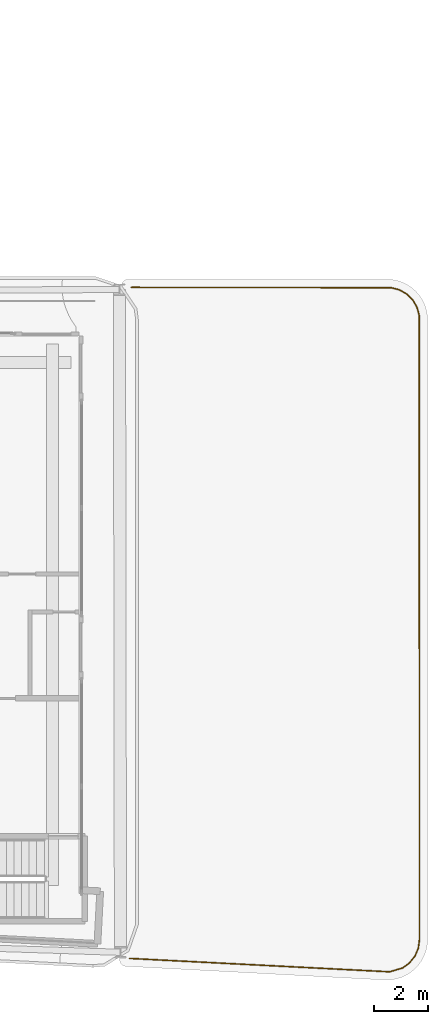
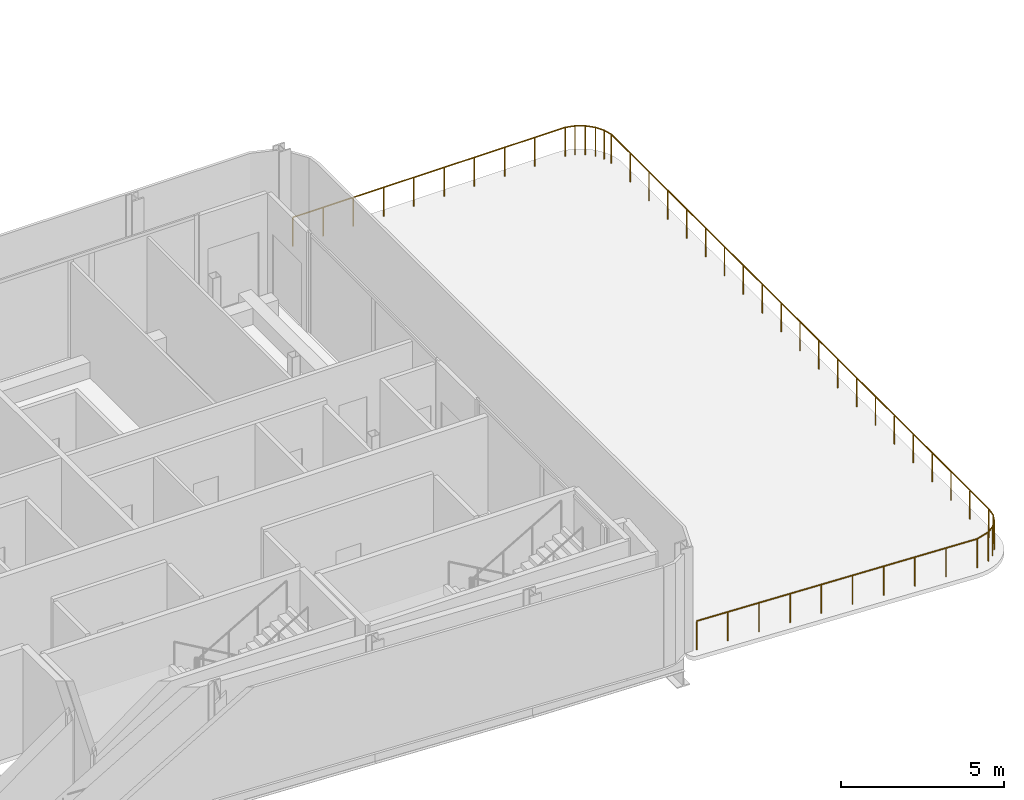
# One storey, part 26 of 27: 1 railing.
"""IFC4 building model written with IfcOpenShell, lengths in metres."""

from ifc_helpers import new_model, si_unit, direction, frame, origin, origin_2d, place, context, subcontext, project, spatial, circle, extrude, material, type_object, element, save


model = new_model("IFC4")

# Units and contexts
model_context = context("Model", 3, precision=1e-05, world=origin(), true_north=direction((0.0, 1.0)))
body_context = subcontext(model_context, "Body", "Model", "MODEL_VIEW")
ifc_project = project(units=[si_unit("LENGTHUNIT", "METRE"), si_unit("AREAUNIT", "SQUARE_METRE"), si_unit("VOLUMEUNIT", "CUBIC_METRE"), si_unit("PLANEANGLEUNIT", "RADIAN"), si_unit("MASSUNIT", "GRAM", prefix="KILO")], contexts=[model_context])

# Site, building, storey
site_placement = place(None, origin())
site = spatial("IfcSite", under=ifc_project, at=site_placement, CompositionType="ELEMENT")
building_placement = place(site_placement, origin())
building = spatial("IfcBuilding", under=site, at=building_placement, Name="Kheshtan School and Residences Tower", CompositionType="ELEMENT")
storey_placement = place(building_placement, frame((0.0, 0.0, 152.60009765625)))
storey = spatial("IfcBuildingStorey", under=building, at=storey_placement, Name="L35", CompositionType="ELEMENT", Elevation=152.60009765625)

# Railing
ifc_material = material(Name="Stainless steel balustrade", Category="steel")
railing_type = type_object("IfcRailingType", Name="Loggia guard 1100", PredefinedType="GUARDRAIL", material=ifc_material)
railing_placement = place(storey_placement, frame((91.037109375, 45.699951171875, 0.0)))
element("IfcRailing", 1, at=railing_placement, inside=storey, type_object=railing_type, Name="Terrace guard L35 1", PredefinedType="GUARDRAIL", context=body_context, shape_type="SweptSolid", body=[
    extrude(circle(Radius=0.02392578125, at=origin_2d()), frame((0.0, 0.0, 1.076171875), z_axis=(0.999999347039, -0.001142769328, 0.0), x_axis=(0.001142769328, 0.999999347039, 0.0)), (0.0, 0.0, 1.0), 9.61376953125),
    extrude(circle(Radius=0.02392578125, at=origin_2d()), frame((9.61376953125, -0.010986328125, 1.076171875), z_axis=(0.968123936335, -0.250471642896, 0.0), x_axis=(0.250471642896, 0.968123936335, 0.0)), (0.0, 0.0, 1.0), 0.31103515625),
    extrude(circle(Radius=0.02392578125, at=origin_2d()), frame((9.914794921875, -0.0888671875, 1.076171875), z_axis=(0.869146624869, -0.494554490909, 0.0), x_axis=(0.494554490909, 0.869146624869, 0.0)), (0.0, 0.0, 1.0), 0.3154296875),
    extrude(circle(Radius=0.02392578125, at=origin_2d()), frame((10.18896484375, -0.244873046875, 1.076171875), z_axis=(0.707106781187, -0.707106781187, 0.0), x_axis=(0.707106781187, 0.707106781187, 0.0)), (0.0, 0.0, 1.0), 0.323974609375),
    extrude(circle(Radius=0.02392578125, at=origin_2d()), frame((10.41796875, -0.473876953125, 1.076171875), z_axis=(0.499093097448, -0.86654837146, 0.0), x_axis=(0.86654837146, 0.499093097448, 0.0)), (0.0, 0.0, 1.0), 0.30224609375),
    extrude(circle(Radius=0.02392578125, at=origin_2d()), frame((10.56884765625, -0.73583984375, 1.076171875), z_axis=(0.263715061136, -0.964600625404, 0.0), x_axis=(0.964600625404, 0.263715061136, 0.0)), (0.0, 0.0, 1.0), 0.31103515625),
    extrude(circle(Radius=0.02392578125, at=origin_2d()), frame((10.65087890625, -1.035888671875, 1.076171875), z_axis=(0.000518501988, -0.999999865578, 0.0), x_axis=(0.999999865578, 0.000518501988, 0.0)), (0.0, 0.0, 1.0), 23.072021484375),
    extrude(circle(Radius=0.02392578125, at=origin_2d()), frame((10.662841796875, -24.10791015625, 1.076171875), z_axis=(-0.13692698308, -0.990581143221, 0.0), x_axis=(0.990581143221, -0.13692698308, 0.0)), (0.0, 0.0, 1.0), 0.34228515625),
    extrude(circle(Radius=0.02392578125, at=origin_2d()), frame((10.615966796875, -24.447021484375, 1.076171875), z_axis=(-0.395338867493, -0.91853534491, 0.0), x_axis=(0.91853534491, -0.395338867493, 0.0)), (0.0, 0.0, 1.0), 0.311279296875),
    extrude(circle(Radius=0.02392578125, at=origin_2d()), frame((10.492919921875, -24.73291015625, 1.076171875), z_axis=(-0.626825986898, -0.779159279063, 0.0), x_axis=(0.779159279063, -0.626825986898, 0.0)), (0.0, 0.0, 1.0), 0.3349609375),
    extrude(circle(Radius=0.02392578125, at=origin_2d()), frame((10.282958984375, -24.993896484375, 1.076171875), z_axis=(-0.811263770909, -0.584680334893, 0.0), x_axis=(0.584680334893, -0.811263770909, 0.0)), (0.0, 0.0, 1.0), 0.30810546875),
    extrude(circle(Radius=0.02392578125, at=origin_2d()), frame((10.032958984375, -25.174072265625, 1.076171875), z_axis=(-0.959901308378, -0.280338149695, 0.0), x_axis=(0.280338149695, -0.959901308378, 0.0)), (0.0, 0.0, 1.0), 0.4990234375),
    extrude(circle(Radius=0.02392578125, at=origin_2d()), frame((9.553955078125, -25.31396484375, 1.076171875), z_axis=(-0.998677067699, 0.051420953444, 0.0), x_axis=(-0.051420953444, -0.998677067699, 0.0)), (0.0, 0.0, 1.0), 9.628662109375),
    extrude(circle(Radius=0.02099609375, at=origin_2d()), origin(), (0.0, 0.0, 1.0), 1.052001953125),
    extrude(circle(Radius=0.02099609375, at=origin_2d()), frame((1.068115234375, -0.001220703125, 0.0)), (0.0, 0.0, 1.0), 1.052001953125),
    extrude(circle(Radius=0.02099609375, at=origin_2d()), frame((2.136474609375, -0.00244140625, 0.0)), (0.0, 0.0, 1.0), 1.052001953125),
    extrude(circle(Radius=0.02099609375, at=origin_2d()), frame((3.20458984375, -0.003662109375, 0.0)), (0.0, 0.0, 1.0), 1.052001953125),
    extrude(circle(Radius=0.02099609375, at=origin_2d()), frame((4.272705078125, -0.0048828125, 0.0)), (0.0, 0.0, 1.0), 1.052001953125),
    extrude(circle(Radius=0.02099609375, at=origin_2d()), frame((5.341064453125, -0.006103515625, 0.0)), (0.0, 0.0, 1.0), 1.052001953125),
    extrude(circle(Radius=0.02099609375, at=origin_2d()), frame((6.4091796875, -0.00732421875, 0.0)), (0.0, 0.0, 1.0), 1.052001953125),
    extrude(circle(Radius=0.02099609375, at=origin_2d()), frame((7.477294921875, -0.008544921875, 0.0)), (0.0, 0.0, 1.0), 1.052001953125),
    extrude(circle(Radius=0.02099609375, at=origin_2d()), frame((8.545654296875, -0.009765625, 0.0)), (0.0, 0.0, 1.0), 1.052001953125),
    extrude(circle(Radius=0.02099609375, at=origin_2d()), frame((9.61376953125, -0.010986328125, 0.0)), (0.0, 0.0, 1.0), 1.052001953125),
    extrude(circle(Radius=0.02099609375, at=origin_2d()), frame((9.914794921875, -0.0888671875, 0.0)), (0.0, 0.0, 1.0), 1.052001953125),
    extrude(circle(Radius=0.02099609375, at=origin_2d()), frame((10.18896484375, -0.244873046875, 0.0)), (0.0, 0.0, 1.0), 1.052001953125),
    extrude(circle(Radius=0.02099609375, at=origin_2d()), frame((10.41796875, -0.473876953125, 0.0)), (0.0, 0.0, 1.0), 1.052001953125),
    extrude(circle(Radius=0.02099609375, at=origin_2d()), frame((10.56884765625, -0.73583984375, 0.0)), (0.0, 0.0, 1.0), 1.052001953125),
    extrude(circle(Radius=0.02099609375, at=origin_2d()), frame((10.65087890625, -1.035888671875, 0.0)), (0.0, 0.0, 1.0), 1.052001953125),
    extrude(circle(Radius=0.02099609375, at=origin_2d()), frame((10.6513671875, -2.189453125, 0.0)), (0.0, 0.0, 1.0), 1.052001953125),
    extrude(circle(Radius=0.02099609375, at=origin_2d()), frame((10.652099609375, -3.343017578125, 0.0)), (0.0, 0.0, 1.0), 1.052001953125),
    extrude(circle(Radius=0.02099609375, at=origin_2d()), frame((10.652587890625, -4.49658203125, 0.0)), (0.0, 0.0, 1.0), 1.052001953125),
    extrude(circle(Radius=0.02099609375, at=origin_2d()), frame((10.6533203125, -5.650390625, 0.0)), (0.0, 0.0, 1.0), 1.052001953125),
    extrude(circle(Radius=0.02099609375, at=origin_2d()), frame((10.65380859375, -6.803955078125, 0.0)), (0.0, 0.0, 1.0), 1.052001953125),
    extrude(circle(Radius=0.02099609375, at=origin_2d()), frame((10.654541015625, -7.95751953125, 0.0)), (0.0, 0.0, 1.0), 1.052001953125),
    extrude(circle(Radius=0.02099609375, at=origin_2d()), frame((10.655029296875, -9.111083984375, 0.0)), (0.0, 0.0, 1.0), 1.052001953125),
    extrude(circle(Radius=0.02099609375, at=origin_2d()), frame((10.65576171875, -10.2646484375, 0.0)), (0.0, 0.0, 1.0), 1.052001953125),
    extrude(circle(Radius=0.02099609375, at=origin_2d()), frame((10.65625, -11.418212890625, 0.0)), (0.0, 0.0, 1.0), 1.052001953125),
    extrude(circle(Radius=0.02099609375, at=origin_2d()), frame((10.65673828125, -12.57177734375, 0.0)), (0.0, 0.0, 1.0), 1.052001953125),
    extrude(circle(Radius=0.02099609375, at=origin_2d()), frame((10.657470703125, -13.7255859375, 0.0)), (0.0, 0.0, 1.0), 1.052001953125),
    extrude(circle(Radius=0.02099609375, at=origin_2d()), frame((10.657958984375, -14.879150390625, 0.0)), (0.0, 0.0, 1.0), 1.052001953125),
    extrude(circle(Radius=0.02099609375, at=origin_2d()), frame((10.65869140625, -16.03271484375, 0.0)), (0.0, 0.0, 1.0), 1.052001953125),
    extrude(circle(Radius=0.02099609375, at=origin_2d()), frame((10.6591796875, -17.186279296875, 0.0)), (0.0, 0.0, 1.0), 1.052001953125),
    extrude(circle(Radius=0.02099609375, at=origin_2d()), frame((10.659912109375, -18.33984375, 0.0)), (0.0, 0.0, 1.0), 1.052001953125),
    extrude(circle(Radius=0.02099609375, at=origin_2d()), frame((10.660400390625, -19.493408203125, 0.0)), (0.0, 0.0, 1.0), 1.052001953125),
    extrude(circle(Radius=0.02099609375, at=origin_2d()), frame((10.6611328125, -20.647216796875, 0.0)), (0.0, 0.0, 1.0), 1.052001953125),
    extrude(circle(Radius=0.02099609375, at=origin_2d()), frame((10.66162109375, -21.80078125, 0.0)), (0.0, 0.0, 1.0), 1.052001953125),
    extrude(circle(Radius=0.02099609375, at=origin_2d()), frame((10.662353515625, -22.954345703125, 0.0)), (0.0, 0.0, 1.0), 1.052001953125),
    extrude(circle(Radius=0.02099609375, at=origin_2d()), frame((10.662841796875, -24.10791015625, 0.0)), (0.0, 0.0, 1.0), 1.052001953125),
    extrude(circle(Radius=0.02099609375, at=origin_2d()), frame((10.615966796875, -24.447021484375, 0.0)), (0.0, 0.0, 1.0), 1.052001953125),
    extrude(circle(Radius=0.02099609375, at=origin_2d()), frame((10.492919921875, -24.73291015625, 0.0)), (0.0, 0.0, 1.0), 1.052001953125),
    extrude(circle(Radius=0.02099609375, at=origin_2d()), frame((10.282958984375, -24.993896484375, 0.0)), (0.0, 0.0, 1.0), 1.052001953125),
    extrude(circle(Radius=0.02099609375, at=origin_2d()), frame((10.032958984375, -25.174072265625, 0.0)), (0.0, 0.0, 1.0), 1.052001953125),
    extrude(circle(Radius=0.02099609375, at=origin_2d()), frame((9.553955078125, -25.31396484375, 0.0)), (0.0, 0.0, 1.0), 1.052001953125),
    extrude(circle(Radius=0.02099609375, at=origin_2d()), frame((8.485595703125, -25.259033203125, 0.0)), (0.0, 0.0, 1.0), 1.052001953125),
    extrude(circle(Radius=0.02099609375, at=origin_2d()), frame((7.4169921875, -25.203857421875, 0.0)), (0.0, 0.0, 1.0), 1.052001953125),
    extrude(circle(Radius=0.02099609375, at=origin_2d()), frame((6.3486328125, -25.14892578125, 0.0)), (0.0, 0.0, 1.0), 1.052001953125),
    extrude(circle(Radius=0.02099609375, at=origin_2d()), frame((5.2802734375, -25.093994140625, 0.0)), (0.0, 0.0, 1.0), 1.052001953125),
    extrude(circle(Radius=0.02099609375, at=origin_2d()), frame((4.211669921875, -25.038818359375, 0.0)), (0.0, 0.0, 1.0), 1.052001953125),
    extrude(circle(Radius=0.02099609375, at=origin_2d()), frame((3.143310546875, -24.98388671875, 0.0)), (0.0, 0.0, 1.0), 1.052001953125),
    extrude(circle(Radius=0.02099609375, at=origin_2d()), frame((2.074951171875, -24.928955078125, 0.0)), (0.0, 0.0, 1.0), 1.052001953125),
    extrude(circle(Radius=0.02099609375, at=origin_2d()), frame((1.00634765625, -24.873779296875, 0.0)), (0.0, 0.0, 1.0), 1.052001953125),
    extrude(circle(Radius=0.02099609375, at=origin_2d()), frame((-0.06201171875, -24.81884765625, 0.0)), (0.0, 0.0, 1.0), 1.052001953125),
])

save(model, "model.ifc")
